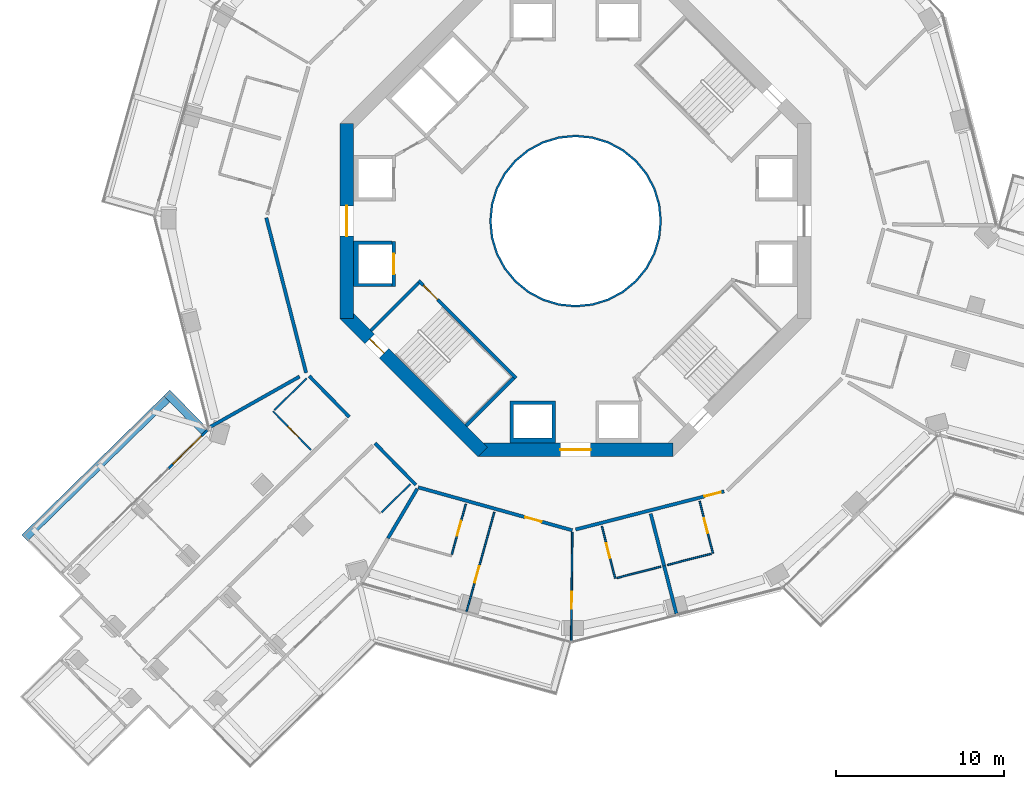
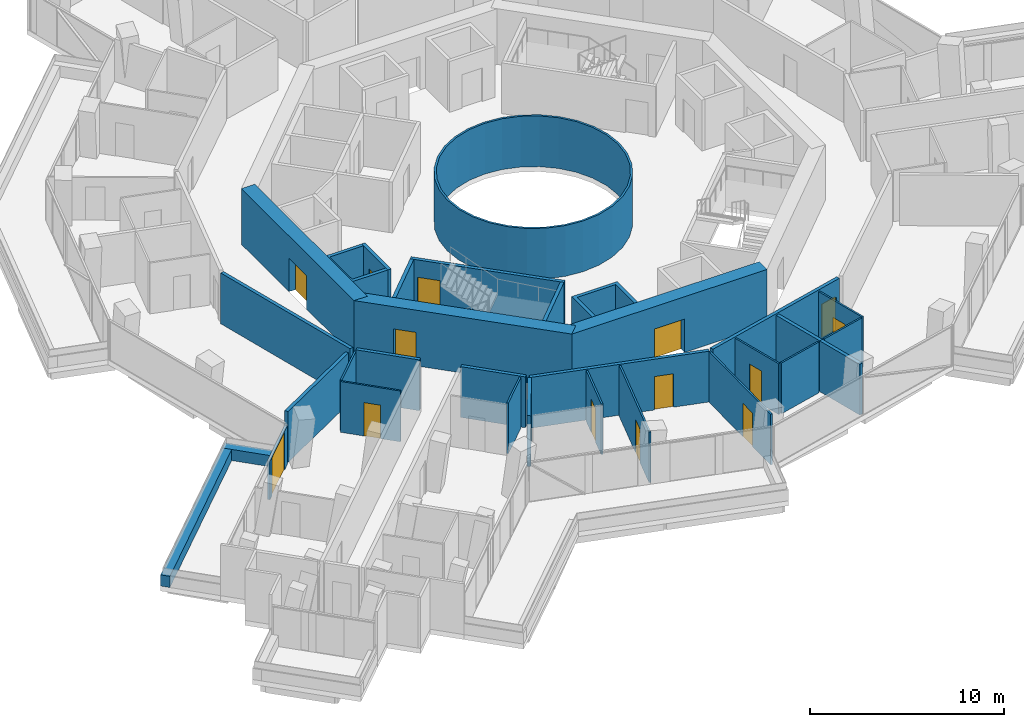
# One storey, part 19 of 26: 32 walls, 14 doors, 14 openings.
"""IFC4 building model written with IfcOpenShell, lengths in metres."""

import ifcopenshell
import ifcopenshell.guid

model = None  # the IFC model being written
_history = None  # IfcOwnerHistory: only IFC2X3 demands one
_inside = {}  # id of a spatial element -> (the spatial element, [elements in it])
_under = {}  # id of a project, library or spatial element -> (it, [spatial elements below it])
_declared = {}  # id of a project -> (the project, [libraries it declares])
_typed = {}  # id of a type object -> (the type object, [elements of that type])
_made_of = {}  # id of a material, layer set ... -> (it, [elements and type objects made of it])


def new_model(schema):
    """Start an empty IFC model of exactly this schema.

    Asked for "IFC4X3", IfcOpenShell would pick the latest addendum, in which some entities
    have other attributes; the version numbers below select the first issue.
    IFC2X3 requires an IfcOwnerHistory on every rooted entity: one is made here for all.
    """
    global model, _history
    if schema == "IFC4X3":
        model = ifcopenshell.file(schema_version=(4, 3, 0, 0))
    else:
        model = ifcopenshell.file(schema=schema)
    _inside.clear()
    _under.clear()
    _declared.clear()
    _typed.clear()
    _made_of.clear()
    _history = None
    if model.schema == "IFC2X3":
        org = make("IfcOrganization", Name="unknown")
        user = make(
            "IfcPersonAndOrganization",
            ThePerson=make("IfcPerson", FamilyName="unknown"),
            TheOrganization=org,
        )
        app = make(
            "IfcApplication",
            ApplicationDeveloper=org,
            Version="unknown",
            ApplicationFullName="unknown",
            ApplicationIdentifier="unknown",
        )
        _history = make(
            "IfcOwnerHistory",
            OwningUser=user,
            OwningApplication=app,
            ChangeAction="ADDED",
            CreationDate=0,
        )
    return model


def make(cls, **values):
    """One entity of the class cls with the attributes given. An attribute that is None is left unset."""
    return model.create_entity(
        cls, **{name: value for name, value in values.items() if value is not None}
    )


def rooted(cls, **values):
    """An entity with a GlobalId (a new one), such as an element, a storey or a relation."""
    return make(cls, GlobalId=ifcopenshell.guid.new(), OwnerHistory=_history, **values)


def si_unit(unit_type, name, prefix=None):
    """IfcSIUnit, for example si_unit("LENGTHUNIT", "METRE", prefix="MILLI")."""
    return make("IfcSIUnit", UnitType=unit_type, Prefix=prefix, Name=name)


def assignment(units):
    """IfcUnitAssignment: the units of a project."""
    return None if units is None else make("IfcUnitAssignment", Units=units)


def point(xyz):
    """IfcCartesianPoint."""
    return None if xyz is None else make("IfcCartesianPoint", Coordinates=xyz)


def direction(xyz):
    """IfcDirection."""
    return None if xyz is None else make("IfcDirection", DirectionRatios=xyz)


def frame(location, z_axis=None, x_axis=None):
    """IfcAxis2Placement3D, a coordinate frame: its origin and axes. An axis left out is left unset."""
    return make(
        "IfcAxis2Placement3D",
        Location=point(location),
        Axis=direction(z_axis),
        RefDirection=direction(x_axis),
    )


def frame_2d(location, x_axis=None):
    """IfcAxis2Placement2D, a coordinate frame in the plane: its origin and x axis."""
    return make(
        "IfcAxis2Placement2D", Location=point(location), RefDirection=direction(x_axis)
    )


def origin():
    """The frame at (0, 0, 0) with its axes left unset."""
    return frame((0.0, 0.0, 0.0))


def place(relative_to, where):
    """IfcLocalPlacement: puts the frame where relative to a parent placement (None: the world)."""
    return make(
        "IfcLocalPlacement", PlacementRelTo=relative_to, RelativePlacement=where
    )


def context(
    kind, dimensions, precision=None, world=None, true_north=None, identifier=None
):
    """IfcGeometricRepresentationContext, for example the 3D "Model" context."""
    return make(
        "IfcGeometricRepresentationContext",
        ContextIdentifier=identifier,
        ContextType=kind,
        CoordinateSpaceDimension=dimensions,
        Precision=precision,
        WorldCoordinateSystem=world,
        TrueNorth=true_north,
    )


def subcontext(parent, identifier, kind, view, scale=None):
    """IfcGeometricRepresentationSubContext, for example "Body" below "Model"."""
    return make(
        "IfcGeometricRepresentationSubContext",
        ContextIdentifier=identifier,
        ContextType=kind,
        ParentContext=parent,
        TargetScale=scale,
        TargetView=view,
    )


def project(units=None, contexts=None):
    """IfcProject with its units and contexts."""
    return rooted(
        "IfcProject",
        Name="project",
        RepresentationContexts=contexts,
        UnitsInContext=assignment(units),
    )


def spatial(cls, under=None, at=None, **own):
    """A site, building, storey or space (cls), placed at a placement, below another one or the project."""
    s = rooted(cls, ObjectPlacement=at, **own)
    if under is not None:
        _under.setdefault(under.id(), (under, []))[1].append(s)
    return s


def polyline(points):
    """IfcPolyline through the points."""
    return make("IfcPolyline", Points=[point(p) for p in points])


def profile(cls, at=None, kind="AREA", **sizes):
    """A parametric profile (cls). Its sizes go by their IFC names, for example OverallWidth=200.0."""
    return make(cls, ProfileType=kind, Position=at, **sizes)


def rectangle(**sizes):
    """IfcRectangleProfileDef."""
    return profile("IfcRectangleProfileDef", **sizes)


def outline(outer, holes=None, kind="AREA"):
    """IfcArbitraryClosedProfileDef: a profile drawn as a closed curve; with holes, ...WithVoids."""
    if holes is None:
        return make("IfcArbitraryClosedProfileDef", ProfileType=kind, OuterCurve=outer)
    return make(
        "IfcArbitraryProfileDefWithVoids",
        ProfileType=kind,
        OuterCurve=outer,
        InnerCurves=holes,
    )


def extrude(swept, where, along, depth):
    """IfcExtrudedAreaSolid: the profile swept, set in the frame where, extruded along a direction by depth."""
    return make(
        "IfcExtrudedAreaSolid",
        SweptArea=swept,
        Position=where,
        ExtrudedDirection=direction(along),
        Depth=depth,
    )


def shape(context_of_items, identifier, shape_type, items):
    """IfcShapeRepresentation: the items that make up one representation, for example the "Body"."""
    return make(
        "IfcShapeRepresentation",
        ContextOfItems=context_of_items,
        RepresentationIdentifier=identifier,
        RepresentationType=shape_type,
        Items=items,
    )


def material(Name=None, Category=None):
    """IfcMaterial."""
    return make("IfcMaterial", Name=Name, Category=Category)


def layer(
    of_material, thickness, ventilated=None, Name=None, Category=None, Priority=None
):
    """IfcMaterialLayer: one layer of a wall or slab, of a material (None: an air gap)."""
    return make(
        "IfcMaterialLayer",
        Material=of_material,
        LayerThickness=thickness,
        IsVentilated=ventilated,
        Name=Name,
        Category=Category,
        Priority=Priority,
    )


def layer_set(layers, Name=None):
    """IfcMaterialLayerSet."""
    return make("IfcMaterialLayerSet", MaterialLayers=layers, LayerSetName=Name)


def made_of(thing, what):
    """Note that an element or type object is made of a material, layer set ...; save() writes the relation."""
    if what is not None:
        _made_of.setdefault(what.id(), (what, []))[1].append(thing)
    return thing


def type_object(cls, material=None, **own):
    """A type object (cls), such as IfcWallType, which elements share."""
    return made_of(rooted(cls, **own), material)


def element(
    cls,
    number,
    at=None,
    inside=None,
    cuts=None,
    type_object=None,
    material=None,
    context=None,
    identifier="Body",
    shape_type=None,
    held_by="IfcProductDefinitionShape",
    body=None,
    shapes=None,
    **own,
):
    """One element of the class cls, such as IfcWall. Its Tag is "e" and its number.

    at: its placement. inside: the storey or other place that contains it. cuts: it is an
    opening in that element (IfcRelVoidsElement). A single representation is given by context,
    identifier, shape_type and body (its items); several are given by shapes. held_by: the class
    of the entity that holds the representations. save() writes the other relations.
    """
    e = rooted(cls, Tag="e%d" % number, ObjectPlacement=at, **own)
    if body is not None:
        shapes = [shape(context, identifier, shape_type, body)]
    if shapes is not None:
        e.Representation = make(held_by, Representations=shapes)
    if inside is not None:
        _inside.setdefault(inside.id(), (inside, []))[1].append(e)
    if cuts is not None:
        rooted(
            "IfcRelVoidsElement", RelatingBuildingElement=cuts, RelatedOpeningElement=e
        )
    if type_object is not None:
        _typed.setdefault(type_object.id(), (type_object, []))[1].append(e)
    return made_of(e, material)


def fill(opening, filler):
    """IfcRelFillsElement: the door or window that sits in an opening."""
    return rooted(
        "IfcRelFillsElement",
        RelatingOpeningElement=opening,
        RelatedBuildingElement=filler,
    )


def aggregate(whole, parts):
    """IfcRelAggregates: a whole, such as a stair, and the parts it consists of."""
    return rooted("IfcRelAggregates", RelatingObject=whole, RelatedObjects=parts)


def save(model, path):
    """Write the relations noted so far, then the file.

    IfcRelAggregates (storeys below a building ...), IfcRelContainedInSpatialStructure (elements
    in a storey), IfcRelDefinesByType, IfcRelAssociatesMaterial and IfcRelDeclares: one each for
    every whole, place, type object, material and project.
    """
    for whole, parts in _under.values():
        aggregate(whole, parts)
    for where, things in _inside.values():
        rooted(
            "IfcRelContainedInSpatialStructure",
            RelatedElements=things,
            RelatingStructure=where,
        )
    for kind, things in _typed.values():
        rooted("IfcRelDefinesByType", RelatedObjects=things, RelatingType=kind)
    for what, things in _made_of.values():
        rooted("IfcRelAssociatesMaterial", RelatedObjects=things, RelatingMaterial=what)
    for by, libraries in _declared.values():
        rooted("IfcRelDeclares", RelatingContext=by, RelatedDefinitions=libraries)
    model.write(path)


model = new_model("IFC4")

# Units and contexts
model_context = context("Model", 3, precision=1e-05, world=origin(), true_north=direction((0.0, 1.0)))
body_context = subcontext(model_context, "Body", "Model", "MODEL_VIEW")
ifc_project = project(units=[si_unit("LENGTHUNIT", "METRE"), si_unit("AREAUNIT", "SQUARE_METRE"), si_unit("VOLUMEUNIT", "CUBIC_METRE"), si_unit("PLANEANGLEUNIT", "RADIAN"), si_unit("MASSUNIT", "GRAM", prefix="KILO")], contexts=[model_context])

# Site, building, storey
site_placement = place(None, origin())
site = spatial("IfcSite", under=ifc_project, at=site_placement, CompositionType="ELEMENT")
building_placement = place(site_placement, origin())
building = spatial("IfcBuilding", under=site, at=building_placement, Name="Verdalira Terraces Hotel", CompositionType="ELEMENT")
storey_placement = place(building_placement, frame((0.0, 0.0, 93.0)))
storey = spatial("IfcBuildingStorey", under=building, at=storey_placement, Name="L21", CompositionType="ELEMENT", Elevation=93.0)

# Walls
ifc_material_1 = material(Name="Fire-resisting glass EI 180", Category="glass")
ifc_layer_1 = layer(ifc_material_1, 0.1201171875)
ifc_layer_set_1 = layer_set([ifc_layer_1], Name="Atrium fire screen 120 mm")
wall_type_1 = type_object("IfcWallType", Name="Atrium fire screen 120 mm", PredefinedType="SOLIDWALL", material=ifc_layer_set_1)
wall_1_placement = place(storey_placement, origin())
element("IfcWall", 1, at=wall_1_placement, inside=storey, type_object=wall_type_1, Name="Atrium fire screen", PredefinedType="SOLIDWALL", context=body_context, shape_type="SweptSolid", body=[
    extrude(outline(polyline([(5.021484, -0.998779), (4.730225, -1.959229), (4.25708, -2.844482), (3.620361, -3.620361), (2.844482, -4.25708), (1.959229, -4.730225), (0.998779, -5.021484), (0.0, -5.120117), (-0.998779, -5.021484), (-1.959229, -4.730225), (-2.844482, -4.25708), (-3.620361, -3.620361), (-4.25708, -2.844482), (-4.730225, -1.959229), (-5.021484, -0.998779), (-5.120117, 0.0), (-5.021484, 0.998779), (-4.730225, 1.959229), (-4.25708, 2.844482), (-3.620361, 3.620361), (-2.844482, 4.25708), (-1.959229, 4.730225), (-0.998779, 5.021484), (0.0, 5.120117), (0.998779, 5.021484), (1.959229, 4.730225), (2.844482, 4.25708), (3.620361, 3.620361), (4.25708, 2.844482), (4.730225, 1.959229), (5.021484, 0.998779), (5.120117, 0.0), (5.021484, -0.998779)]), holes=[polyline([(4.903809, 0.975586), (4.619385, 1.91333), (4.157227, 2.777832), (3.5354, 3.5354), (2.777832, 4.157227), (1.91333, 4.619385), (0.975586, 4.903809), (0.0, 5.0), (-0.975586, 4.903809), (-1.91333, 4.619385), (-2.777832, 4.157227), (-3.5354, 3.5354), (-4.157227, 2.777832), (-4.619385, 1.91333), (-4.903809, 0.975586), (-5.0, 0.0), (-4.903809, -0.975586), (-4.619385, -1.91333), (-4.157227, -2.777832), (-3.5354, -3.5354), (-2.777832, -4.157227), (-1.91333, -4.619385), (-0.975586, -4.903809), (0.0, -5.0), (0.975586, -4.903809), (1.91333, -4.619385), (2.777832, -4.157227), (3.5354, -3.5354), (4.157227, -2.777832), (4.619385, -1.91333), (4.903809, -0.975586), (5.0, 0.0), (4.903809, 0.975586)])]), origin(), (0.0, 0.0, 1.0), 3.189941),
])
ifc_material_2 = material(Name="Concrete C40", Category="concrete")
ifc_layer_2 = layer(ifc_material_2, 0.5)
ifc_layer_set_2 = layer_set([ifc_layer_2], Name="Balcony planter trough with tree")
wall_type_2 = type_object("IfcWallType", Name="Balcony planter trough with tree", PredefinedType="SOLIDWALL", material=ifc_layer_set_2)
wall_2_placement = place(storey_placement, frame((-22.059082, -12.502686, 0.0), z_axis=(0.0, 0.0, 1.0), x_axis=(-0.699703527, 0.714433324, 0.0)))
element("IfcWall", 2, at=wall_2_placement, inside=storey, type_object=wall_type_2, Name="Balcony planter", PredefinedType="SOLIDWALL", context=body_context, shape_type="SweptSolid", body=[
    extrude(rectangle(XDim=3.198975, YDim=0.5, at=frame_2d((1.599609, 0.0))), origin(), (0.0, 0.0, 1.0), 0.699951),
])
wall_3_placement = place(storey_placement, frame((-24.301025, -10.570801, 0.0), z_axis=(0.0, 0.0, 1.0), x_axis=(-0.714470428, -0.69966564, 0.0)))
element("IfcWall", 3, at=wall_3_placement, inside=storey, type_object=wall_type_2, Name="Balcony planter", PredefinedType="SOLIDWALL", context=body_context, shape_type="SweptSolid", body=[
    extrude(rectangle(XDim=11.82373, YDim=0.5, at=frame_2d((5.911865, 0.0))), origin(), (0.0, 0.0, 1.0), 0.699951),
])
ifc_material_3 = material(Name="Moisture-resistant gypsum board partition")
ifc_layer_3 = layer(ifc_material_3, 0.10009765625)
ifc_layer_set_3 = layer_set([ifc_layer_3], Name="Bathroom partition 100 mm")
wall_type_3 = type_object("IfcWallType", Name="Bathroom partition 100 mm", PredefinedType="PARTITIONING", material=ifc_layer_set_3)
wall_4_placement = place(storey_placement, frame((-15.979248, -9.349609, 0.0), z_axis=(0.0, 0.0, 1.0), x_axis=(-0.714437911, -0.699698843, 0.0)))
element("IfcWall", 4, at=wall_4_placement, inside=storey, type_object=wall_type_3, Name="Bathroom partition", PredefinedType="PARTITIONING", context=body_context, shape_type="SweptSolid", body=[
    extrude(rectangle(XDim=2.699951, YDim=0.100098, at=frame_2d((1.350098, 0.0))), origin(), (0.0, 0.0, 1.0), 3.189941),
])

# Wall, opening, door
wall_5_placement = place(storey_placement, frame((-17.979736, -11.308594, 0.0), z_axis=(0.0, 0.0, 1.0), x_axis=(0.699667797, -0.714468315, 0.0)))
wall_5 = element("IfcWall", 5, at=wall_5_placement, inside=storey, type_object=wall_type_3, Name="Bathroom partition", PredefinedType="PARTITIONING", context=body_context, shape_type="SweptSolid", body=[
    extrude(rectangle(XDim=3.200195, YDim=0.100098, at=frame_2d((1.600098, 0.0))), origin(), (0.0, 0.0, 1.0), 3.189941),
])
opening_1_placement = place(wall_5_placement, frame((1.25, 0.0, 0.0)))
opening_1 = element("IfcOpeningElement", 6, at=opening_1_placement, cuts=wall_5, Name="Opening L21-115", PredefinedType="OPENING", context=body_context, shape_type="SweptSolid", body=[
    extrude(rectangle(XDim=0.899902, YDim=2.100098, at=frame_2d((0.449951, 1.050049))), frame((0.0, 0.060059, 0.0), z_axis=(0.0, -1.0, 0.0), x_axis=(1.0, 0.0, 0.0)), (0.0, 0.0, 1.0), 0.120117),
])
ifc_material_4 = material(Name="Timber door", Category="wood")
door_type_1 = type_object("IfcDoorType", Name="Bathroom door 900 x 2100", OperationType="NOTDEFINED", PredefinedType="DOOR", material=ifc_material_4)
door_1_placement = place(opening_1_placement, origin())
door_1 = element("IfcDoor", 7, at=door_1_placement, inside=storey, type_object=door_type_1, Name="Bathroom door 2105", OperationType="SINGLE_SWING_LEFT", OverallHeight=2.10009765625, OverallWidth=0.89990234375, PredefinedType="DOOR", context=body_context, shape_type="SweptSolid", body=[
    extrude(rectangle(XDim=0.899902, YDim=2.100098, at=frame_2d((0.449951, 1.050049))), frame((0.0, 0.024902, 0.0), z_axis=(0.0, -1.0, 0.0), x_axis=(1.0, 0.0, 0.0)), (0.0, 0.0, 1.0), 0.050049),
])
fill(opening_1, door_1)

# Wall
wall_6_placement = place(storey_placement, frame((-9.822266, -15.636963, 0.0), z_axis=(0.0, 0.0, 1.0), x_axis=(-0.714443678, -0.699692954, 0.0)))
element("IfcWall", 8, at=wall_6_placement, inside=storey, type_object=wall_type_3, Name="Bathroom partition", PredefinedType="PARTITIONING", context=body_context, shape_type="SweptSolid", body=[
    extrude(rectangle(XDim=2.399902, YDim=0.100098, at=frame_2d((1.199951, 0.0))), origin(), (0.0, 0.0, 1.0), 3.189941),
])

# Wall, opening, door
wall_7_placement = place(storey_placement, frame((-7.356689, -19.809814, 0.0), z_axis=(0.0, 0.0, 1.0), x_axis=(0.268943392, 0.963155985, 0.0)))
wall_7 = element("IfcWall", 9, at=wall_7_placement, inside=storey, type_object=wall_type_3, Name="Bathroom partition", PredefinedType="PARTITIONING", context=body_context, shape_type="SweptSolid", body=[
    extrude(rectangle(XDim=3.100098, YDim=0.100098, at=frame_2d((1.550049, 0.0))), origin(), (0.0, 0.0, 1.0), 3.189941),
])
opening_2_placement = place(wall_7_placement, frame((1.149902, 0.0, 0.0)))
opening_2 = element("IfcOpeningElement", 10, at=opening_2_placement, cuts=wall_7, Name="Opening L21-124", PredefinedType="OPENING", context=body_context, shape_type="SweptSolid", body=[
    extrude(rectangle(XDim=0.899902, YDim=2.100098, at=frame_2d((0.449951, 1.050049))), frame((0.0, 0.060059, 0.0), z_axis=(0.0, -1.0, 0.0), x_axis=(1.0, 0.0, 0.0)), (0.0, 0.0, 1.0), 0.120117),
])
door_2_placement = place(opening_2_placement, origin())
door_2 = element("IfcDoor", 11, at=door_2_placement, inside=storey, type_object=door_type_1, Name="Bathroom door 2108", OperationType="SINGLE_SWING_LEFT", OverallHeight=2.10009765625, OverallWidth=0.89990234375, PredefinedType="DOOR", context=body_context, shape_type="SweptSolid", body=[
    extrude(rectangle(XDim=0.899902, YDim=2.100098, at=frame_2d((0.449951, 1.050049))), frame((0.0, 0.024902, 0.0), z_axis=(0.0, -1.0, 0.0), x_axis=(1.0, 0.0, 0.0)), (0.0, 0.0, 1.0), 0.050049),
])
fill(opening_2, door_2)

wall_8_placement = place(storey_placement, frame((-6.483154, -23.220215, 0.0), z_axis=(0.0, 0.0, 1.0), x_axis=(0.268917165, 0.963163308, 0.0)))
wall_8 = element("IfcWall", 12, at=wall_8_placement, inside=storey, type_object=wall_type_3, Name="Bathroom partition", PredefinedType="PARTITIONING", context=body_context, shape_type="SweptSolid", body=[
    extrude(rectangle(XDim=6.149902, YDim=0.100098, at=frame_2d((3.074951, 0.0))), origin(), (0.0, 0.0, 1.0), 3.189941),
])
opening_3_placement = place(wall_8_placement, frame((1.800049, 0.0, 0.0)))
opening_3 = element("IfcOpeningElement", 13, at=opening_3_placement, cuts=wall_8, Name="Opening L21-122", PredefinedType="OPENING", context=body_context, shape_type="SweptSolid", body=[
    extrude(rectangle(XDim=1.0, YDim=2.100098, at=frame_2d((0.5, 1.050049))), frame((0.0, 0.060059, 0.0), z_axis=(0.0, -1.0, 0.0), x_axis=(1.0, 0.0, 0.0)), (0.0, 0.0, 1.0), 0.120117),
])
ifc_material_5 = material(Name="Timber door", Category="wood")
door_type_2 = type_object("IfcDoorType", Name="Suite internal door 1000 x 2100", OperationType="NOTDEFINED", PredefinedType="DOOR", material=ifc_material_5)
door_3_placement = place(opening_3_placement, origin())
door_3 = element("IfcDoor", 14, at=door_3_placement, inside=storey, type_object=door_type_2, Name="Suite internal door 2108", OperationType="SINGLE_SWING_LEFT", OverallHeight=2.10009765625, OverallWidth=1.0, PredefinedType="DOOR", context=body_context, shape_type="SweptSolid", body=[
    extrude(rectangle(XDim=1.0, YDim=2.100098, at=frame_2d((0.5, 1.050049))), frame((0.0, 0.024902, 0.0), z_axis=(0.0, -1.0, 0.0), x_axis=(1.0, 0.0, 0.0)), (0.0, 0.0, 1.0), 0.050049),
])
fill(opening_3, door_3)

wall_9_placement = place(storey_placement, frame((-0.193604, -18.487305, 0.0), z_axis=(0.0, 0.0, 1.0), x_axis=(-0.010480893, -0.999945074, 0.0)))
wall_9 = element("IfcWall", 15, at=wall_9_placement, inside=storey, type_object=wall_type_3, Name="Bathroom partition", PredefinedType="PARTITIONING", context=body_context, shape_type="SweptSolid", body=[
    extrude(rectangle(XDim=6.475586, YDim=0.100098, at=frame_2d((3.237793, 0.0))), origin(), (0.0, 0.0, 1.0), 3.189941),
])
opening_4_placement = place(wall_9_placement, frame((3.550049, 0.0, 0.0)))
opening_4 = element("IfcOpeningElement", 16, at=opening_4_placement, cuts=wall_9, Name="Opening L21-123", PredefinedType="OPENING", context=body_context, shape_type="SweptSolid", body=[
    extrude(rectangle(XDim=1.0, YDim=2.100098, at=frame_2d((0.5, 1.050049))), frame((0.0, 0.060059, 0.0), z_axis=(0.0, -1.0, 0.0), x_axis=(1.0, 0.0, 0.0)), (0.0, 0.0, 1.0), 0.120117),
])
door_4_placement = place(opening_4_placement, origin())
door_4 = element("IfcDoor", 17, at=door_4_placement, inside=storey, type_object=door_type_2, Name="Suite internal door 2108", OperationType="SINGLE_SWING_LEFT", OverallHeight=2.10009765625, OverallWidth=1.0, PredefinedType="DOOR", context=body_context, shape_type="SweptSolid", body=[
    extrude(rectangle(XDim=1.0, YDim=2.100098, at=frame_2d((0.5, 1.050049))), frame((0.0, 0.024902, 0.0), z_axis=(0.0, -1.0, 0.0), x_axis=(1.0, 0.0, 0.0)), (0.0, 0.0, 1.0), 0.050049),
])
fill(opening_4, door_4)

wall_10_placement = place(storey_placement, frame((1.560303, -18.140137, 0.0), z_axis=(0.0, 0.0, 1.0), x_axis=(0.248705722, -0.968579095, 0.0)))
wall_10 = element("IfcWall", 18, at=wall_10_placement, inside=storey, type_object=wall_type_3, Name="Bathroom partition", PredefinedType="PARTITIONING", context=body_context, shape_type="SweptSolid", body=[
    extrude(rectangle(XDim=3.200195, YDim=0.100098, at=frame_2d((1.600098, 0.0))), origin(), (0.0, 0.0, 1.0), 3.189941),
])
opening_5_placement = place(wall_10_placement, frame((1.050049, 0.0, 0.0)))
opening_5 = element("IfcOpeningElement", 19, at=opening_5_placement, cuts=wall_10, Name="Opening L21-125", PredefinedType="OPENING", context=body_context, shape_type="SweptSolid", body=[
    extrude(rectangle(XDim=0.899902, YDim=2.100098, at=frame_2d((0.449951, 1.050049))), frame((0.0, 0.060059, 0.0), z_axis=(0.0, -1.0, 0.0), x_axis=(1.0, 0.0, 0.0)), (0.0, 0.0, 1.0), 0.120117),
])
door_5_placement = place(opening_5_placement, origin())
door_5 = element("IfcDoor", 20, at=door_5_placement, inside=storey, type_object=door_type_1, Name="Bathroom door 2108", OperationType="SINGLE_SWING_RIGHT", OverallHeight=2.10009765625, OverallWidth=0.89990234375, PredefinedType="DOOR", context=body_context, shape_type="SweptSolid", body=[
    extrude(rectangle(XDim=0.899902, YDim=2.100098, at=frame_2d((0.449951, 1.050049))), frame((0.0, 0.024902, 0.0), z_axis=(0.0, -1.0, 0.0), x_axis=(1.0, 0.0, 0.0)), (0.0, 0.0, 1.0), 0.050049),
])
fill(opening_5, door_5)

# Walls
wall_11_placement = place(storey_placement, frame((2.452881, -21.214844, 0.0), z_axis=(0.0, 0.0, 1.0), x_axis=(0.968569528, 0.248742977, 0.0)))
element("IfcWall", 21, at=wall_11_placement, inside=storey, type_object=wall_type_3, Name="Bathroom partition", PredefinedType="PARTITIONING", context=body_context, shape_type="SweptSolid", body=[
    extrude(rectangle(XDim=2.700195, YDim=0.100098, at=frame_2d((1.350098, 0.0))), origin(), (0.0, 0.0, 1.0), 3.189941),
])
wall_12_placement = place(storey_placement, frame((8.070801, -19.772461, 0.0), z_axis=(0.0, 0.0, 1.0), x_axis=(-0.968591309, -0.24865815, 0.0)))
element("IfcWall", 22, at=wall_12_placement, inside=storey, type_object=wall_type_3, Name="Bathroom partition", PredefinedType="PARTITIONING", context=body_context, shape_type="SweptSolid", body=[
    extrude(rectangle(XDim=2.699951, YDim=0.100098, at=frame_2d((1.350098, 0.0))), origin(), (0.0, 0.0, 1.0), 3.189941),
])

# Wall, opening, door
wall_13_placement = place(storey_placement, frame((8.16748, -19.747559, 0.0), z_axis=(0.0, 0.0, 1.0), x_axis=(-0.248652523, 0.968592754, 0.0)))
wall_13 = element("IfcWall", 23, at=wall_13_placement, inside=storey, type_object=wall_type_3, Name="Bathroom partition", PredefinedType="PARTITIONING", context=body_context, shape_type="SweptSolid", body=[
    extrude(rectangle(XDim=3.199951, YDim=0.100098, at=frame_2d((1.600098, 0.0))), origin(), (0.0, 0.0, 1.0), 3.189941),
])
opening_6_placement = place(wall_13_placement, frame((1.25, 0.0, 0.0)))
opening_6 = element("IfcOpeningElement", 24, at=opening_6_placement, cuts=wall_13, Name="Opening L21-127", PredefinedType="OPENING", context=body_context, shape_type="SweptSolid", body=[
    extrude(rectangle(XDim=0.899902, YDim=2.100098, at=frame_2d((0.449951, 1.050049))), frame((0.0, 0.060059, 0.0), z_axis=(0.0, -1.0, 0.0), x_axis=(1.0, 0.0, 0.0)), (0.0, 0.0, 1.0), 0.120117),
])
door_6_placement = place(opening_6_placement, origin())
door_6 = element("IfcDoor", 25, at=door_6_placement, inside=storey, type_object=door_type_1, Name="Bathroom door 2109", OperationType="SINGLE_SWING_LEFT", OverallHeight=2.10009765625, OverallWidth=0.89990234375, PredefinedType="DOOR", context=body_context, shape_type="SweptSolid", body=[
    extrude(rectangle(XDim=0.899902, YDim=2.100098, at=frame_2d((0.449951, 1.050049))), frame((0.0, 0.024902, 0.0), z_axis=(0.0, -1.0, 0.0), x_axis=(1.0, 0.0, 0.0)), (0.0, 0.0, 1.0), 0.050049),
])
fill(opening_6, door_6)

# Wall
ifc_material_6 = material(Name="Concrete C50", Category="concrete")
ifc_layer_4 = layer(ifc_material_6, 0.199951171875)
ifc_layer_set_4 = layer_set([ifc_layer_4], Name="Core RC wall 200 C50")
wall_type_4 = type_object("IfcWallType", Name="Core RC wall 200 C50", PredefinedType="SOLIDWALL", material=ifc_layer_set_4)
wall_14_placement = place(storey_placement, origin())
element("IfcWall", 26, at=wall_14_placement, inside=storey, type_object=wall_type_4, Name="L21 shaft wall W2", PredefinedType="SOLIDWALL", context=body_context, shape_type="SweptSolid", body=[
    extrude(outline(polyline([(-13.199951, -3.899902), (-13.199951, -1.199951), (-10.899902, -1.199951), (-10.899902, -1.399902), (-12.899902, -1.399902), (-12.899902, -3.699951), (-10.899902, -3.699951), (-10.899902, -3.899902), (-13.199951, -3.899902)])), origin(), (0.0, 0.0, 1.0), 3.189941),
])

# Wall, opening, door
wall_15_placement = place(storey_placement, frame((-10.800049, -1.199951, 0.0), z_axis=(0.0, 0.0, 1.0), x_axis=(0.0, -1.0, 0.0)))
wall_15 = element("IfcWall", 27, at=wall_15_placement, inside=storey, type_object=wall_type_4, Name="L21 shaft front wall W2", PredefinedType="SOLIDWALL", context=body_context, shape_type="SweptSolid", body=[
    extrude(rectangle(XDim=2.699951, YDim=0.199951, at=frame_2d((1.350098, 0.0))), origin(), (0.0, 0.0, 1.0), 3.189941),
])
opening_7_placement = place(wall_15_placement, frame((0.75, 0.0, 0.0)))
opening_7 = element("IfcOpeningElement", 28, at=opening_7_placement, cuts=wall_15, Name="Opening LD-L21-806", PredefinedType="OPENING", context=body_context, shape_type="SweptSolid", body=[
    extrude(rectangle(XDim=1.199951, YDim=2.100098, at=frame_2d((0.600098, 1.050049))), frame((0.0, 0.109863, 0.0), z_axis=(0.0, -1.0, 0.0), x_axis=(1.0, 0.0, 0.0)), (0.0, 0.0, 1.0), 0.219971),
])
ifc_material_7 = material(Name="Stainless steel", Category="steel")
door_type_3 = type_object("IfcDoorType", Name="Landing door 1200 x 2100", OperationType="NOTDEFINED", PredefinedType="DOOR", material=ifc_material_7)
door_7_placement = place(opening_7_placement, origin())
door_7 = element("IfcDoor", 29, at=door_7_placement, inside=storey, type_object=door_type_3, Name="Lift landing door LR6 L21", OperationType="DOUBLE_DOOR_SLIDING", OverallHeight=2.10009765625, OverallWidth=1.199951171875, PredefinedType="DOOR", context=body_context, shape_type="SweptSolid", body=[
    extrude(rectangle(XDim=1.199951, YDim=2.100098, at=frame_2d((0.600098, 1.050049))), frame((0.0, 0.024902, 0.0), z_axis=(0.0, -1.0, 0.0), x_axis=(1.0, 0.0, 0.0)), (0.0, 0.0, 1.0), 0.050049),
])
fill(opening_7, door_7)

# Wall
wall_16_placement = place(storey_placement, origin())
element("IfcWall", 30, at=wall_16_placement, inside=storey, type_object=wall_type_4, Name="L21 shaft wall S1", PredefinedType="SOLIDWALL", context=body_context, shape_type="SweptSolid", body=[
    extrude(outline(polyline([(-1.199951, -13.199951), (-3.899902, -13.199951), (-3.899902, -10.699951), (-1.199951, -10.699951), (-1.199951, -13.199951)]), holes=[polyline([(-3.699951, -10.899902), (-3.699951, -12.899902), (-1.399902, -12.899902), (-1.399902, -10.899902), (-3.699951, -10.899902)])]), origin(), (0.0, 0.0, 1.0), 3.189941),
])

# Wall, opening, door
wall_17_placement = place(storey_placement, frame((-3.5354, -9.33374, 0.0), z_axis=(0.0, 0.0, 1.0), x_axis=(-0.707106781, 0.707106781, 0.0)))
wall_17 = element("IfcWall", 31, at=wall_17_placement, inside=storey, type_object=wall_type_4, Name="L21 stair ST2 front wall", PredefinedType="SOLIDWALL", context=body_context, shape_type="SweptSolid", body=[
    extrude(rectangle(XDim=8.200195, YDim=0.199951, at=frame_2d((4.100098, 0.0))), origin(), (0.0, 0.0, 1.0), 3.189941),
])
opening_8_placement = place(wall_17_placement, frame((6.600098, 0.0, 0.0)))
opening_8 = element("IfcOpeningElement", 32, at=opening_8_placement, cuts=wall_17, Name="Opening L21-810", PredefinedType="OPENING", context=body_context, shape_type="SweptSolid", body=[
    extrude(rectangle(XDim=1.199951, YDim=2.100098, at=frame_2d((0.600098, 1.050049))), frame((0.0, 0.109863, 0.0), z_axis=(0.0, -1.0, 0.0), x_axis=(1.0, 0.0, 0.0)), (0.0, 0.0, 1.0), 0.219971),
])
ifc_material_8 = material(Name="Steel fire door", Category="steel")
door_type_4 = type_object("IfcDoorType", Name="Stair door 1200 x 2100", OperationType="NOTDEFINED", PredefinedType="DOOR", material=ifc_material_8)
door_8_placement = place(opening_8_placement, origin())
door_8 = element("IfcDoor", 33, at=door_8_placement, inside=storey, type_object=door_type_4, Name="Stair door ST2 L21", OperationType="SINGLE_SWING_RIGHT", OverallHeight=2.10009765625, OverallWidth=1.199951171875, PredefinedType="DOOR", context=body_context, shape_type="SweptSolid", body=[
    extrude(rectangle(XDim=1.199951, YDim=2.100098, at=frame_2d((0.600098, 1.050049))), frame((0.0, 0.024902, 0.0), z_axis=(0.0, -1.0, 0.0), x_axis=(1.0, 0.0, 0.0)), (0.0, 0.0, 1.0), 0.050049),
])
fill(opening_8, door_8)

# Walls
for number, where, z_axis, x_axis, name in (
    (34, (-9.33374, -3.677002, 0.0), (0.0, 0.0, 1.0), (-0.707106781, -0.707106781, 0.0), "L21 stair ST2 end wall 1"),
    (35, (-3.677002, -9.33374, 0.0), (0.0, 0.0, 1.0), (-0.707106781, -0.707106781, 0.0), "L21 stair ST2 end wall 2"),
):
    element("IfcWall", number, at=place(storey_placement, frame(where, z_axis=z_axis, x_axis=x_axis)), inside=storey, type_object=wall_type_4, Name=name, PredefinedType="SOLIDWALL", context=body_context, shape_type="SweptSolid", body=[
        extrude(rectangle(XDim=4.0, YDim=0.199951, at=frame_2d((2.0, 0.0))), origin(), (0.0, 0.0, 1.0), 3.189941),
    ])

# Wall, opening, door
ifc_material_9 = material(Name="Concrete C70", Category="concrete")
ifc_layer_5 = layer(ifc_material_9, 0.800048828125)
ifc_layer_set_5 = layer_set([ifc_layer_5], Name="Core wall 800 C70")
wall_type_5 = type_object("IfcWallType", Name="Core wall 800 C70", PredefinedType="SHEAR", material=ifc_layer_set_5)
wall_18_placement = place(storey_placement, frame((-13.600098, 5.799072, 0.0), z_axis=(0.0, 0.0, 1.0), x_axis=(0.0, -1.0, 0.0)))
wall_18 = element("IfcWall", 36, at=wall_18_placement, inside=storey, type_object=wall_type_5, Name="Core wall CW-L21-5", PredefinedType="SHEAR", context=body_context, shape_type="SweptSolid", body=[
    extrude(rectangle(XDim=11.598145, YDim=0.800049, at=frame_2d((5.799072, 0.0))), origin(), (0.0, 0.0, 1.0), 3.5),
])
opening_9_placement = place(wall_18_placement, frame((4.898926, 0.0, 0.0)))
opening_9 = element("IfcOpeningElement", 37, at=opening_9_placement, cuts=wall_18, Name="Opening L21-814", PredefinedType="OPENING", context=body_context, shape_type="SweptSolid", body=[
    extrude(rectangle(XDim=1.800049, YDim=2.100098, at=frame_2d((0.899902, 1.050049))), frame((0.0, 0.409912, 0.0), z_axis=(0.0, -1.0, 0.0), x_axis=(1.0, 0.0, 0.0)), (0.0, 0.0, 1.0), 0.820068),
])
ifc_material_10 = material(Name="Steel fire door", Category="steel")
door_type_5 = type_object("IfcDoorType", Name="Core entry door pair 1800 x 2100", OperationType="NOTDEFINED", PredefinedType="DOOR", material=ifc_material_10)
door_9_placement = place(opening_9_placement, origin())
door_9 = element("IfcDoor", 38, at=door_9_placement, inside=storey, type_object=door_type_5, Name="Core entry door L21 4", OperationType="DOUBLE_DOOR_SINGLE_SWING", OverallHeight=2.10009765625, OverallWidth=1.800048828125, PredefinedType="DOOR", context=body_context, shape_type="SweptSolid", body=[
    extrude(rectangle(XDim=1.800049, YDim=2.100098, at=frame_2d((0.899902, 1.050049))), frame((0.0, 0.024902, 0.0), z_axis=(0.0, -1.0, 0.0), x_axis=(1.0, 0.0, 0.0)), (0.0, 0.0, 1.0), 0.050049),
])
fill(opening_9, door_9)

wall_19_placement = place(storey_placement, frame((-13.717285, -5.516113, 0.0), z_axis=(0.0, 0.0, 1.0), x_axis=(0.707106781, -0.707106781, 0.0)))
wall_19 = element("IfcWall", 39, at=wall_19_placement, inside=storey, type_object=wall_type_5, Name="Core wall CW-L21-6", PredefinedType="SHEAR", context=body_context, shape_type="SweptSolid", body=[
    extrude(rectangle(XDim=11.598145, YDim=0.800049, at=frame_2d((5.799072, 0.0))), origin(), (0.0, 0.0, 1.0), 3.5),
])
opening_10_placement = place(wall_19_placement, frame((2.099121, 0.0, 0.0)))
opening_10 = element("IfcOpeningElement", 40, at=opening_10_placement, cuts=wall_19, Name="Opening L21-817", PredefinedType="OPENING", context=body_context, shape_type="SweptSolid", body=[
    extrude(rectangle(XDim=1.199951, YDim=2.100098, at=frame_2d((0.600098, 1.050049))), frame((0.0, 0.409912, 0.0), z_axis=(0.0, -1.0, 0.0), x_axis=(1.0, 0.0, 0.0)), (0.0, 0.0, 1.0), 0.820068),
])
door_10_placement = place(opening_10_placement, origin())
door_10 = element("IfcDoor", 41, at=door_10_placement, inside=storey, type_object=door_type_4, Name="Stair exit door ST2 L21", OperationType="SINGLE_SWING_LEFT", OverallHeight=2.10009765625, OverallWidth=1.199951171875, PredefinedType="DOOR", context=body_context, shape_type="SweptSolid", body=[
    extrude(rectangle(XDim=1.199951, YDim=2.100098, at=frame_2d((0.600098, 1.050049))), frame((0.0, 0.024902, 0.0), z_axis=(0.0, -1.0, 0.0), x_axis=(1.0, 0.0, 0.0)), (0.0, 0.0, 1.0), 0.050049),
])
fill(opening_10, door_10)

wall_20_placement = place(storey_placement, frame((-5.799072, -13.600098, 0.0), z_axis=(0.0, 0.0, 1.0), x_axis=(1.0, 0.0, 0.0)))
wall_20 = element("IfcWall", 42, at=wall_20_placement, inside=storey, type_object=wall_type_5, Name="Core wall CW-L21-7", PredefinedType="SHEAR", context=body_context, shape_type="SweptSolid", body=[
    extrude(rectangle(XDim=11.598145, YDim=0.800049, at=frame_2d((5.799072, 0.0))), origin(), (0.0, 0.0, 1.0), 3.5),
])
opening_11_placement = place(wall_20_placement, frame((4.898926, 0.0, 0.0)))
opening_11 = element("IfcOpeningElement", 43, at=opening_11_placement, cuts=wall_20, Name="Opening L21-815", PredefinedType="OPENING", context=body_context, shape_type="SweptSolid", body=[
    extrude(rectangle(XDim=1.800049, YDim=2.100098, at=frame_2d((0.899902, 1.050049))), frame((0.0, 0.409912, 0.0), z_axis=(0.0, -1.0, 0.0), x_axis=(1.0, 0.0, 0.0)), (0.0, 0.0, 1.0), 0.820068),
])
door_11_placement = place(opening_11_placement, origin())
door_11 = element("IfcDoor", 44, at=door_11_placement, inside=storey, type_object=door_type_5, Name="Core entry door L21 6", OperationType="DOUBLE_DOOR_SINGLE_SWING", OverallHeight=2.10009765625, OverallWidth=1.800048828125, PredefinedType="DOOR", context=body_context, shape_type="SweptSolid", body=[
    extrude(rectangle(XDim=1.800049, YDim=2.100098, at=frame_2d((0.899902, 1.050049))), frame((0.0, 0.024902, 0.0), z_axis=(0.0, -1.0, 0.0), x_axis=(1.0, 0.0, 0.0)), (0.0, 0.0, 1.0), 0.050049),
])
fill(opening_11, door_11)

# Walls
ifc_material_11 = material(Name="Fire-rated gypsum board wall")
ifc_layer_6 = layer(ifc_material_11, 0.199951171875)
ifc_layer_set_6 = layer_set([ifc_layer_6], Name="Demising wall 200 mm")
wall_type_6 = type_object("IfcWallType", Name="Demising wall 200 mm", PredefinedType="SOLIDWALL", material=ifc_layer_set_6)
wall_21_placement = place(storey_placement, frame((-16.406738, -9.244629, 0.0), z_axis=(0.0, 0.0, 1.0), x_axis=(-0.871211654, -0.490907581, 0.0)))
element("IfcWall", 45, at=wall_21_placement, inside=storey, type_object=wall_type_6, Name="Demising wall", PredefinedType="SOLIDWALL", context=body_context, shape_type="SweptSolid", body=[
    extrude(rectangle(XDim=6.13208, YDim=0.199951, at=frame_2d((3.065918, 0.0))), origin(), (0.0, 0.0, 1.0), 3.189941),
])
wall_22_placement = place(storey_placement, frame((-9.411377, -15.913818, 0.0), z_axis=(0.0, 0.0, 1.0), x_axis=(-0.50904451, -0.860740197, 0.0)))
element("IfcWall", 46, at=wall_22_placement, inside=storey, type_object=wall_type_6, Name="Demising wall", PredefinedType="SOLIDWALL", context=body_context, shape_type="SweptSolid", body=[
    extrude(rectangle(XDim=3.418213, YDim=0.199951, at=frame_2d((1.708984, 0.0))), origin(), (0.0, 0.0, 1.0), 3.189941),
])
wall_23_placement = place(storey_placement, frame((4.466064, -17.394043, 0.0), z_axis=(0.0, 0.0, 1.0), x_axis=(0.248705722, -0.968579095, 0.0)))
element("IfcWall", 47, at=wall_23_placement, inside=storey, type_object=wall_type_6, Name="Demising wall", PredefinedType="SOLIDWALL", context=body_context, shape_type="SweptSolid", body=[
    extrude(rectangle(XDim=3.200195, YDim=0.199951, at=frame_2d((1.600098, 0.0))), origin(), (0.0, 0.0, 1.0), 3.189941),
])
wall_24_placement = place(storey_placement, frame((5.261963, -20.493652, 0.0), z_axis=(0.0, 0.0, 1.0), x_axis=(0.248703888, -0.968579566, 0.0)))
element("IfcWall", 48, at=wall_24_placement, inside=storey, type_object=wall_type_6, Name="Demising wall", PredefinedType="SOLIDWALL", context=body_context, shape_type="SweptSolid", body=[
    extrude(rectangle(XDim=2.949951, YDim=0.199951, at=frame_2d((1.475098, 0.0))), origin(), (0.0, 0.0, 1.0), 3.189941),
])
ifc_material_12 = material(Name="Fire-rated gypsum board wall")
ifc_layer_7 = layer(ifc_material_12, 0.199951171875)
ifc_layer_set_7 = layer_set([ifc_layer_7], Name="Guest corridor wall 200 mm")
wall_type_7 = type_object("IfcWallType", Name="Guest corridor wall 200 mm", PredefinedType="SOLIDWALL", material=ifc_layer_set_7)
wall_25_placement = place(storey_placement, frame((-18.383545, 0.191895, 0.0), z_axis=(0.0, 0.0, 1.0), x_axis=(0.248682116, -0.968585156, 0.0)))
element("IfcWall", 49, at=wall_25_placement, inside=storey, type_object=wall_type_7, Name="Guest corridor wall", PredefinedType="SOLIDWALL", context=body_context, shape_type="SweptSolid", body=[
    extrude(rectangle(XDim=9.515869, YDim=0.199951, at=frame_2d((4.757812, 0.0))), origin(), (0.0, 0.0, 1.0), 3.189941),
])
wall_26_placement = place(storey_placement, frame((-15.836182, -9.209717, 0.0), z_axis=(0.0, 0.0, 1.0), x_axis=(0.699635485, -0.714499957, 0.0)))
element("IfcWall", 50, at=wall_26_placement, inside=storey, type_object=wall_type_7, Name="Guest corridor wall", PredefinedType="SOLIDWALL", context=body_context, shape_type="SweptSolid", body=[
    extrude(rectangle(XDim=3.399902, YDim=0.199951, at=frame_2d((1.699951, 0.0))), origin(), (0.0, 0.0, 1.0), 3.189941),
])
wall_27_placement = place(storey_placement, frame((-11.918213, -13.210693, 0.0), z_axis=(0.0, 0.0, 1.0), x_axis=(0.699655576, -0.714480283, 0.0)))
element("IfcWall", 51, at=wall_27_placement, inside=storey, type_object=wall_type_7, Name="Guest corridor wall", PredefinedType="SOLIDWALL", context=body_context, shape_type="SweptSolid", body=[
    extrude(rectangle(XDim=3.458496, YDim=0.199951, at=frame_2d((1.729248, 0.0))), origin(), (0.0, 0.0, 1.0), 3.189941),
])

# Wall, opening, door
wall_28_placement = place(storey_placement, frame((-0.192383, -18.383789, 0.0), z_axis=(0.0, 0.0, 1.0), x_axis=(-0.963160921, 0.268925714, 0.0)))
wall_28 = element("IfcWall", 52, at=wall_28_placement, inside=storey, type_object=wall_type_7, Name="Guest corridor wall", PredefinedType="SOLIDWALL", context=body_context, shape_type="SweptSolid", body=[
    extrude(rectangle(XDim=9.516846, YDim=0.199951, at=frame_2d((4.758301, 0.0))), origin(), (0.0, 0.0, 1.0), 3.189941),
])
opening_12_placement = place(wall_28_placement, frame((1.899902, 0.0, 0.0)))
opening_12 = element("IfcOpeningElement", 53, at=opening_12_placement, cuts=wall_28, Name="Opening L21-121", PredefinedType="OPENING", context=body_context, shape_type="SweptSolid", body=[
    extrude(rectangle(XDim=1.0, YDim=2.100098, at=frame_2d((0.5, 1.050049))), frame((0.0, 0.109863, 0.0), z_axis=(0.0, -1.0, 0.0), x_axis=(1.0, 0.0, 0.0)), (0.0, 0.0, 1.0), 0.219971),
])
ifc_material_13 = material(Name="Timber fire door", Category="wood")
door_type_6 = type_object("IfcDoorType", Name="Guest entry door 1000 x 2100", OperationType="NOTDEFINED", PredefinedType="DOOR", material=ifc_material_13)
door_12_placement = place(opening_12_placement, origin())
door_12 = element("IfcDoor", 54, at=door_12_placement, inside=storey, type_object=door_type_6, Name="Guest entry door 2108", OperationType="SINGLE_SWING_LEFT", OverallHeight=2.10009765625, OverallWidth=1.0, PredefinedType="DOOR", context=body_context, shape_type="SweptSolid", body=[
    extrude(rectangle(XDim=1.0, YDim=2.100098, at=frame_2d((0.5, 1.050049))), frame((0.0, 0.024902, 0.0), z_axis=(0.0, -1.0, 0.0), x_axis=(1.0, 0.0, 0.0)), (0.0, 0.0, 1.0), 0.050049),
])
fill(opening_12, door_12)

wall_29_placement = place(storey_placement, frame((8.830811, -16.066895, 0.0), z_axis=(0.0, 0.0, 1.0), x_axis=(-0.968582197, -0.248693643, 0.0)))
wall_29 = element("IfcWall", 55, at=wall_29_placement, inside=storey, type_object=wall_type_7, Name="Guest corridor wall", PredefinedType="SOLIDWALL", context=body_context, shape_type="SweptSolid", body=[
    extrude(rectangle(XDim=9.115967, YDim=0.199951, at=frame_2d((4.558105, 0.0))), origin(), (0.0, 0.0, 1.0), 3.189941),
])
opening_13_placement = place(wall_29_placement, frame((0.199951, 0.0, 0.0)))
opening_13 = element("IfcOpeningElement", 56, at=opening_13_placement, cuts=wall_29, Name="Opening L21-126", PredefinedType="OPENING", context=body_context, shape_type="SweptSolid", body=[
    extrude(rectangle(XDim=1.0, YDim=2.100098, at=frame_2d((0.5, 1.050049))), frame((0.0, 0.109863, 0.0), z_axis=(0.0, -1.0, 0.0), x_axis=(1.0, 0.0, 0.0)), (0.0, 0.0, 1.0), 0.219971),
])
door_13_placement = place(opening_13_placement, origin())
door_13 = element("IfcDoor", 57, at=door_13_placement, inside=storey, type_object=door_type_6, Name="Guest entry door 2109", OperationType="SINGLE_SWING_LEFT", OverallHeight=2.10009765625, OverallWidth=1.0, PredefinedType="DOOR", context=body_context, shape_type="SweptSolid", body=[
    extrude(rectangle(XDim=1.0, YDim=2.100098, at=frame_2d((0.5, 1.050049))), frame((0.0, 0.024902, 0.0), z_axis=(0.0, -1.0, 0.0), x_axis=(1.0, 0.0, 0.0)), (0.0, 0.0, 1.0), 0.050049),
])
fill(opening_13, door_13)

ifc_material_14 = material(Name="Terracotta cladding", Category="masonry")
ifc_layer_8 = layer(ifc_material_14, 0.14990234375)
ifc_layer_set_8 = layer_set([ifc_layer_8], Name="Terracotta door pier 150")
wall_type_8 = type_object("IfcWallType", Name="Terracotta door pier 150", PredefinedType="SOLIDWALL", material=ifc_layer_set_8)
wall_30_placement = place(storey_placement, frame((-21.877197, -12.431152, 0.0), z_axis=(0.0, 0.0, 1.0), x_axis=(-0.71448032, -0.699655539, 0.0)))
wall_30 = element("IfcWall", 58, at=wall_30_placement, inside=storey, type_object=wall_type_8, Name="Terracotta door pier", PredefinedType="SOLIDWALL", context=body_context, shape_type="SweptSolid", body=[
    extrude(rectangle(XDim=3.293701, YDim=0.149902, at=frame_2d((1.646973, 0.0))), origin(), (0.0, 0.0, 1.0), 2.425049),
])
opening_14_placement = place(wall_30_placement, frame((0.493652, 0.0, 0.0)))
opening_14 = element("IfcOpeningElement", 59, at=opening_14_placement, cuts=wall_30, Name="Opening L21-B05", PredefinedType="OPENING", context=body_context, shape_type="SweptSolid", body=[
    extrude(rectangle(XDim=2.399902, YDim=2.399902, at=frame_2d((1.199951, 1.199951))), frame((0.0, 0.084961, 0.0), z_axis=(0.0, -1.0, 0.0), x_axis=(1.0, 0.0, 0.0)), (0.0, 0.0, 1.0), 0.169922),
])
ifc_material_15 = material(Name="Clear glass", Category="glass")
door_type_7 = type_object("IfcDoorType", Name="Balcony sliding door 2400x2400", OperationType="NOTDEFINED", PredefinedType="DOOR", material=ifc_material_15)
door_14_placement = place(opening_14_placement, origin())
door_14 = element("IfcDoor", 60, at=door_14_placement, inside=storey, type_object=door_type_7, Name="Balcony sliding door", OperationType="SLIDING_TO_LEFT", OverallHeight=2.39990234375, OverallWidth=2.39990234375, PredefinedType="DOOR", context=body_context, shape_type="SweptSolid", body=[
    extrude(rectangle(XDim=2.399902, YDim=2.399902, at=frame_2d((1.199951, 1.199951))), frame((0.0, 0.024902, 0.0), z_axis=(0.0, -1.0, 0.0), x_axis=(1.0, 0.0, 0.0)), (0.0, 0.0, 1.0), 0.050049),
])
fill(opening_14, door_14)

save(model, "model.ifc")
